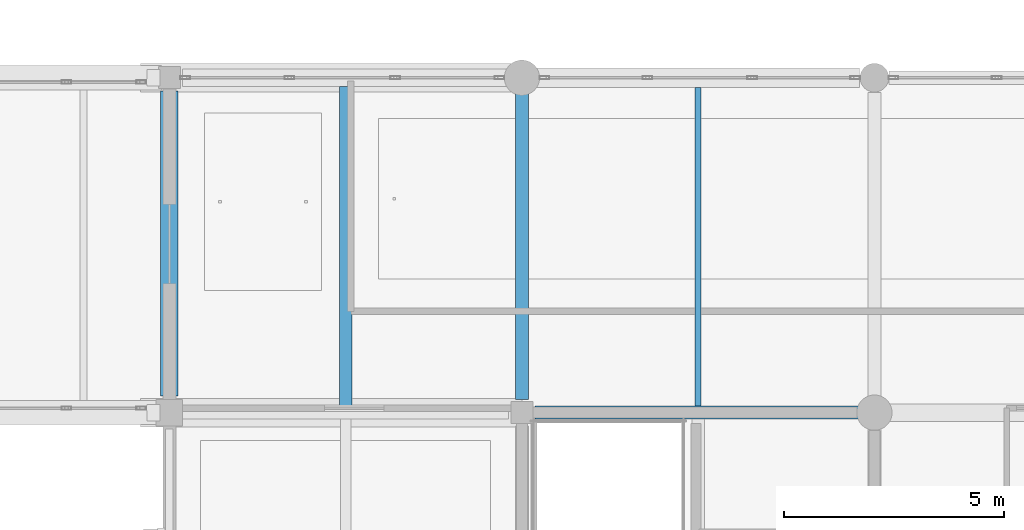
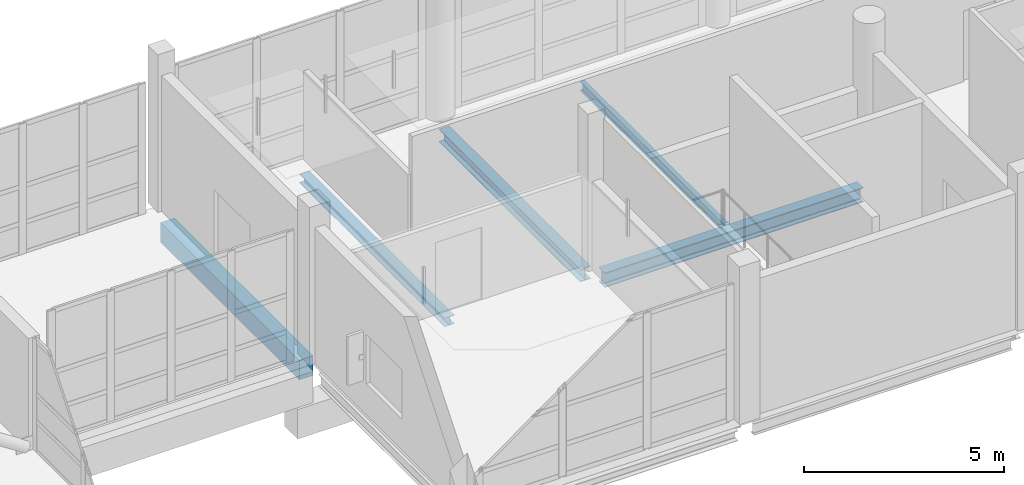
# One storey, part 26 of 141: 5 beams.
"""IFC4 building model written with IfcOpenShell, lengths in metres."""

from ifc_helpers import new_model, si_unit, direction, frame, origin, origin_2d, place, context, subcontext, project, spatial, rectangle, i_section, extrude, material, material_profile, profile_set, type_object, element, save


model = new_model("IFC4")

# Units and contexts
model_context = context("Model", 3, precision=1e-05, world=origin(), true_north=direction((0.0, 1.0)))
body_context = subcontext(model_context, "Body", "Model", "MODEL_VIEW")
ifc_project = project(units=[si_unit("LENGTHUNIT", "METRE"), si_unit("AREAUNIT", "SQUARE_METRE"), si_unit("VOLUMEUNIT", "CUBIC_METRE"), si_unit("PLANEANGLEUNIT", "RADIAN"), si_unit("MASSUNIT", "GRAM", prefix="KILO")], contexts=[model_context])

# Site, building, storey
site_placement = place(None, origin())
site = spatial("IfcSite", under=ifc_project, at=site_placement, CompositionType="ELEMENT")
building_placement = place(site_placement, origin())
building = spatial("IfcBuilding", under=site, at=building_placement, Name="Khelvaren Railside Concert Hall", CompositionType="ELEMENT")
storey_placement = place(building_placement, frame((0.0, 0.0, 10.199951171875)))
storey = spatial("IfcBuildingStorey", under=building, at=storey_placement, Name="L02", CompositionType="ELEMENT", Elevation=10.199951171875)

# Beams
ifc_material_1 = material(Name="Steel S355", Category="steel")
ifc_material_profile_1 = material_profile(ifc_material_1, i_section(OverallWidth=0.300048828125, OverallDepth=0.389892578125, WebThickness=0.010986328125, FlangeThickness=0.01904296875, FilletRadius=0.027099609375, at=origin_2d()), Name="HEA 400")
ifc_profile_set_1 = profile_set([ifc_material_profile_1], Name="Steel S355")
beam_type_1 = type_object("IfcBeamType", Name="BM23", PredefinedType="BEAM", material=ifc_profile_set_1)
beam_1_placement = place(storey_placement, frame((72.0, 7.89990234375, -0.48486328125), z_axis=(0.0, 1.0, 0.0), x_axis=(-1.0, 0.0, 0.0)))
element("IfcBeam", 1, at=beam_1_placement, inside=storey, type_object=beam_type_1, Name="V3 L02 Beam Y2.2", PredefinedType="BEAM", context=body_context, shape_type="SweptSolid", body=[
    extrude(i_section(OverallWidth=0.300048828125, OverallDepth=0.389892578125, WebThickness=0.010986328125, FlangeThickness=0.01904296875, FilletRadius=0.027099609375, at=origin_2d()), origin(), (0.0, 0.0, 1.0), 7.050048828125),
])
ifc_material_profile_2 = material_profile(ifc_material_1, i_section(OverallWidth=0.300048828125, OverallDepth=0.43994140625, WebThickness=0.011474609375, FlangeThickness=0.02099609375, FilletRadius=0.027099609375, at=origin_2d()), Name="HEA 450")
ifc_profile_set_2 = profile_set([ifc_material_profile_2], Name="Steel S355")
beam_type_2 = type_object("IfcBeamType", Name="BM89", PredefinedType="BEAM", material=ifc_profile_set_2)
beam_2_placement = place(storey_placement, frame((72.300048828125, 7.60009765625, -0.510009765625), z_axis=(1.0, 0.0, 0.0), x_axis=(0.0, 1.0, 0.0)))
element("IfcBeam", 2, at=beam_2_placement, inside=storey, type_object=beam_type_2, Name="V3 L02 Beam X2.2", PredefinedType="BEAM", context=body_context, shape_type="SweptSolid", body=[
    extrude(i_section(OverallWidth=0.300048828125, OverallDepth=0.43994140625, WebThickness=0.011474609375, FlangeThickness=0.02099609375, FilletRadius=0.027099609375, at=origin_2d()), origin(), (0.0, 0.0, 1.0), 7.449951171875),
])
ifc_material_profile_3 = material_profile(ifc_material_1, i_section(OverallWidth=0.280029296875, OverallDepth=0.27001953125, WebThickness=0.008056640625, FlangeThickness=0.012939453125, FilletRadius=0.02392578125, at=origin_2d()), Name="HEA 280")
ifc_profile_set_3 = profile_set([ifc_material_profile_3], Name="Steel S355")
beam_type_3 = type_object("IfcBeamType", Name="JS46", PredefinedType="JOIST", material=ifc_profile_set_3)
beam_3_placement = place(storey_placement, frame((68.0, 7.75, -0.425048828125), z_axis=(0.0, 1.0, 0.0), x_axis=(-1.0, 0.0, 0.0)))
element("IfcBeam", 3, at=beam_3_placement, inside=storey, type_object=beam_type_3, Name="V3 L02 Secondary Joist 1.2", PredefinedType="JOIST", context=body_context, shape_type="SweptSolid", body=[
    extrude(i_section(OverallWidth=0.280029296875, OverallDepth=0.27001953125, WebThickness=0.008056640625, FlangeThickness=0.012939453125, FilletRadius=0.02392578125, at=origin_2d()), origin(), (0.0, 0.0, 1.0), 7.25),
])
ifc_material_profile_4 = material_profile(ifc_material_1, i_section(OverallWidth=0.135009765625, OverallDepth=0.27001953125, WebThickness=0.006591796875, FlangeThickness=0.01025390625, FilletRadius=0.014892578125, at=origin_2d()), Name="IPE 270")
ifc_profile_set_4 = profile_set([ifc_material_profile_4], Name="Steel S355")
beam_type_4 = type_object("IfcBeamType", Name="JS78", PredefinedType="JOIST", material=ifc_profile_set_4)
beam_4_placement = place(storey_placement, frame((76.0, 7.75, -0.425048828125), z_axis=(0.0, 1.0, 0.0), x_axis=(-1.0, 0.0, 0.0)))
element("IfcBeam", 4, at=beam_4_placement, inside=storey, type_object=beam_type_4, Name="V3 L02 Secondary Joist 2.2", PredefinedType="JOIST", context=body_context, shape_type="SweptSolid", body=[
    extrude(i_section(OverallWidth=0.135009765625, OverallDepth=0.27001953125, WebThickness=0.006591796875, FlangeThickness=0.01025390625, FilletRadius=0.014892578125, at=origin_2d()), origin(), (0.0, 0.0, 1.0), 7.22509765625),
])
ifc_material_2 = material(Name="Concrete C40/50", Category="concrete")
ifc_material_profile_5 = material_profile(ifc_material_2, rectangle(XDim=0.39990234375, YDim=0.60009765625, at=origin_2d()), Name="RCB 400x600")
ifc_profile_set_5 = profile_set([ifc_material_profile_5], Name="Concrete C40/50")
beam_type_5 = type_object("IfcBeamType", Name="SP75", PredefinedType="SPANDREL", material=ifc_profile_set_5)
beam_5_placement = place(storey_placement, frame((64.0, 7.97509765625, -0.58984375), z_axis=(0.0, 1.0, 0.0), x_axis=(-1.0, 0.0, 0.0)))
element("IfcBeam", 5, at=beam_5_placement, inside=storey, type_object=beam_type_5, Name="V3 L02 Spandrel Y1.2", PredefinedType="SPANDREL", context=body_context, shape_type="SweptSolid", body=[
    extrude(rectangle(XDim=0.39990234375, YDim=0.60009765625, at=origin_2d()), origin(), (0.0, 0.0, 1.0), 6.9248046875),
])

save(model, "model.ifc")
